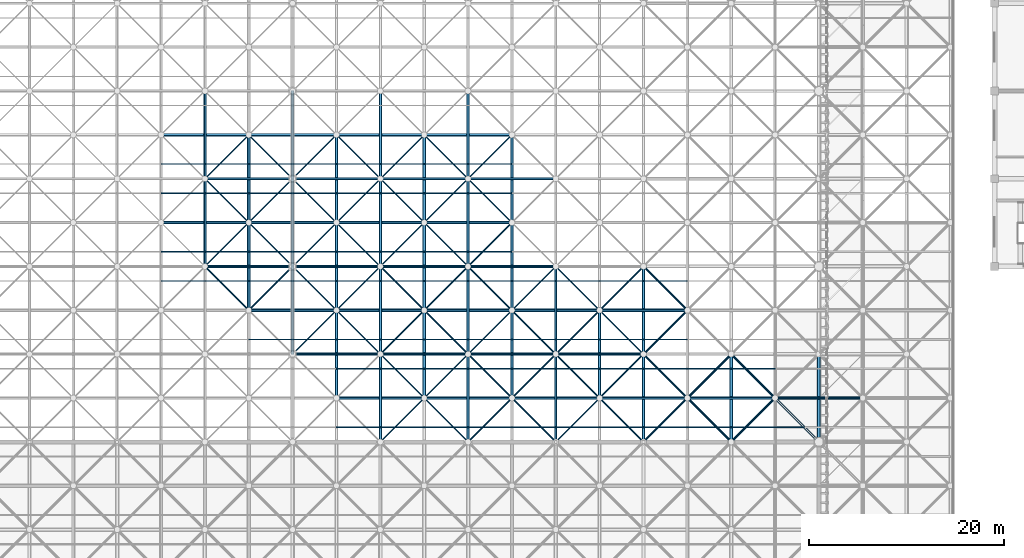
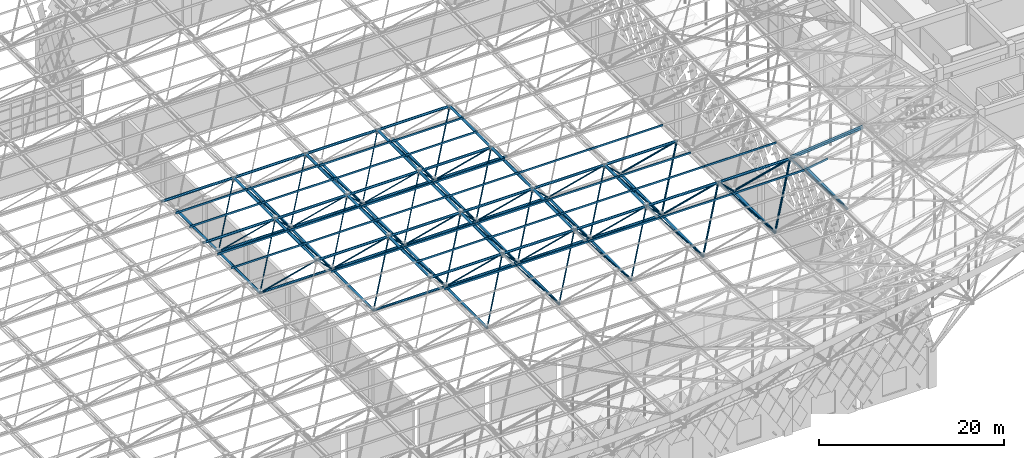
# One storey, part 93 of 437: 157 members.
"""IFC4 building model written with IfcOpenShell, lengths in metres."""

from ifc_helpers import new_model, si_unit, direction, frame, origin, origin_2d, place, context, subcontext, project, spatial, polyline, hollow_circle, outline, extrude, material, material_profile, profile_set, type_object, element, save


model = new_model("IFC4")

# Units and contexts
model_context = context("Model", 3, precision=1e-05, world=origin(), true_north=direction((0.0, 1.0)))
body_context = subcontext(model_context, "Body", "Model", "MODEL_VIEW")
ifc_project = project(units=[si_unit("LENGTHUNIT", "METRE"), si_unit("AREAUNIT", "SQUARE_METRE"), si_unit("VOLUMEUNIT", "CUBIC_METRE"), si_unit("PLANEANGLEUNIT", "RADIAN"), si_unit("MASSUNIT", "GRAM", prefix="KILO")], contexts=[model_context])

# Site, building, storey
site_placement = place(None, origin())
site = spatial("IfcSite", under=ifc_project, at=site_placement, CompositionType="ELEMENT")
building_placement = place(site_placement, origin())
building = spatial("IfcBuilding", under=site, at=building_placement, Name="Opaline Strait Convention Centre", CompositionType="ELEMENT")
storey_placement = place(building_placement, frame((0.0, 0.0, 11.5)))
storey = spatial("IfcBuildingStorey", under=building, at=storey_placement, Name="L02", CompositionType="ELEMENT", Elevation=11.5)

# Members
ifc_material = material(Name="Steel Q355B", Category="steel")
ifc_material_profile_1 = material_profile(ifc_material, outline(polyline([(-0.03759765625, -0.125), (0.03759765625, -0.125), (0.03759765625, -0.10498046875), (0.034912109375, -0.10498046875), (0.034912109375, -0.12255859375), (-0.034912109375, -0.12255859375), (-0.034912109375, 0.12255859375), (0.034912109375, 0.12255859375), (0.034912109375, 0.10498046875), (0.03759765625, 0.10498046875), (0.03759765625, 0.125), (-0.03759765625, 0.125), (-0.03759765625, -0.125)])), Name="C 250x75x20x2.5")
ifc_profile_set_1 = profile_set([ifc_material_profile_1], Name="Steel Q355B")
member_type_1 = type_object("IfcMemberType", Name="Roof purlin C 250x75x20x2.5", PredefinedType="PURLIN", material=ifc_profile_set_1)
for number, where, z_axis, x_axis, name in (
    (1, (211.5, 73.5, 18.257080078125), (1.0, 0.0, 0.0), (0.0, 1.0, 0.0), "EXB-RF-P-14-3-1"),
    (2, (220.5, 73.5, 18.257080078125), (1.0, 0.0, 0.0), (0.0, 1.0, 0.0), "EXB-RF-P-15-3-1"),
    (3, (229.5, 73.5, 18.257080078125), (1.0, 0.0, 0.0), (0.0, 1.0, 0.0), "EXB-RF-P-16-3-1"),
    (4, (238.5, 73.5, 18.257080078125), (1.0, 0.0, 0.0), (0.0, 1.0, 0.0), "EXB-RF-P-17-3-1"),
    (5, (247.5, 73.5, 18.257080078125), (1.0, 0.0, 0.0), (0.0, 1.0, 0.0), "EXB-RF-P-18-3-1"),
):
    element("IfcMember", number, at=place(storey_placement, frame(where, z_axis=z_axis, x_axis=x_axis)), inside=storey, type_object=member_type_1, Name=name, PredefinedType="PURLIN", context=body_context, shape_type="SweptSolid", body=[
        extrude(outline(polyline([(-0.03759765625, -0.125), (0.03759765625, -0.125), (0.03759765625, -0.10498046875), (0.034912109375, -0.10498046875), (0.034912109375, -0.12255859375), (-0.034912109375, -0.12255859375), (-0.034912109375, 0.12255859375), (0.034912109375, 0.12255859375), (0.034912109375, 0.10498046875), (0.03759765625, 0.10498046875), (0.03759765625, 0.125), (-0.03759765625, 0.125), (-0.03759765625, -0.125)])), origin(), (0.0, 0.0, 1.0), 9.0),
    ])
member_1_placement = place(storey_placement, frame((256.449951171875, 76.453125, 18.25537109375), z_axis=(0.99514863855, 0.0, 0.098382860253), x_axis=(0.005558054974, 0.998402930819, -0.056220065425)))
element("IfcMember", 6, at=member_1_placement, inside=storey, type_object=member_type_1, Name="EXB-RF-E-19-3a", PredefinedType="PURLIN", context=body_context, shape_type="SweptSolid", body=[
    extrude(outline(polyline([(-0.03759765625, -0.125), (0.03759765625, -0.125), (0.03759765625, -0.10498046875), (0.034912109375, -0.10498046875), (0.034912109375, -0.12255859375), (-0.034912109375, -0.12255859375), (-0.034912109375, 0.12255859375), (0.034912109375, 0.12255859375), (0.034912109375, 0.10498046875), (0.03759765625, 0.10498046875), (0.03759765625, 0.125), (-0.03759765625, 0.125), (-0.03759765625, -0.125)])), origin(), (0.0, 0.0, 1.0), 9.14453125),
])
member_2_placement = place(storey_placement, frame((256.593017578125, 73.5, 18.27294921875), z_axis=(0.988094799995, 0.0, 0.153846242146), x_axis=(0.0, 1.0, 0.0)))
element("IfcMember", 7, at=member_2_placement, inside=storey, type_object=member_type_1, Name="EXB-RF-P-19-3-1b", PredefinedType="PURLIN", context=body_context, shape_type="SweptSolid", body=[
    extrude(outline(polyline([(-0.03759765625, -0.125), (0.03759765625, -0.125), (0.03759765625, -0.10498046875), (0.034912109375, -0.10498046875), (0.034912109375, -0.12255859375), (-0.034912109375, -0.12255859375), (-0.034912109375, 0.12255859375), (0.034912109375, 0.12255859375), (0.034912109375, 0.10498046875), (0.03759765625, 0.10498046875), (0.03759765625, 0.125), (-0.03759765625, 0.125), (-0.03759765625, -0.125)])), origin(), (0.0, 0.0, 1.0), 2.891357421875),
])
for number, where, z_axis, x_axis, name in (
    (8, (202.5, 82.5, 18.257080078125), (1.0, 0.0, 0.0), (0.0, 1.0, 0.0), "EXB-RF-P-13-4-1"),
    (9, (211.5, 79.5, 18.257080078125), (1.0, 0.0, 0.0), (0.0, 1.0, 0.0), "EXB-RF-P-14-4-0"),
    (10, (211.5, 82.5, 18.257080078125), (1.0, 0.0, 0.0), (0.0, 1.0, 0.0), "EXB-RF-P-14-4-1"),
    (11, (220.5, 79.5, 18.257080078125), (1.0, 0.0, 0.0), (0.0, 1.0, 0.0), "EXB-RF-P-15-4-0"),
    (12, (220.5, 82.5, 18.257080078125), (1.0, 0.0, 0.0), (0.0, 1.0, 0.0), "EXB-RF-P-15-4-1"),
    (13, (229.5, 79.5, 18.257080078125), (1.0, 0.0, 0.0), (0.0, 1.0, 0.0), "EXB-RF-P-16-4-0"),
    (14, (229.5, 82.5, 18.257080078125), (1.0, 0.0, 0.0), (0.0, 1.0, 0.0), "EXB-RF-P-16-4-1"),
    (15, (238.5, 79.5, 18.257080078125), (1.0, 0.0, 0.0), (0.0, 1.0, 0.0), "EXB-RF-P-17-4-0"),
    (16, (238.5, 82.5, 18.257080078125), (1.0, 0.0, 0.0), (0.0, 1.0, 0.0), "EXB-RF-P-17-4-1"),
    (17, (247.5, 79.5, 18.257080078125), (1.0, 0.0, 0.0), (0.0, 1.0, 0.0), "EXB-RF-P-18-4-0"),
    (18, (193.5, 88.5, 18.257080078125), (1.0, 0.0, 0.0), (0.0, 1.0, 0.0), "EXB-RF-P-12-5-0"),
    (19, (193.5, 91.5, 18.257080078125), (1.0, 0.0, 0.0), (0.0, 1.0, 0.0), "EXB-RF-P-12-5-1"),
    (20, (202.5, 88.5, 18.257080078125), (1.0, 0.0, 0.0), (0.0, 1.0, 0.0), "EXB-RF-P-13-5-0"),
    (21, (202.5, 91.5, 18.257080078125), (1.0, 0.0, 0.0), (0.0, 1.0, 0.0), "EXB-RF-P-13-5-1"),
    (22, (211.5, 88.5, 18.257080078125), (1.0, 0.0, 0.0), (0.0, 1.0, 0.0), "EXB-RF-P-14-5-0"),
    (23, (211.5, 91.5, 18.257080078125), (1.0, 0.0, 0.0), (0.0, 1.0, 0.0), "EXB-RF-P-14-5-1"),
    (24, (220.5, 88.5, 18.257080078125), (1.0, 0.0, 0.0), (0.0, 1.0, 0.0), "EXB-RF-P-15-5-0"),
    (25, (220.5, 91.5, 18.257080078125), (1.0, 0.0, 0.0), (0.0, 1.0, 0.0), "EXB-RF-P-15-5-1"),
    (26, (229.5, 88.5, 18.257080078125), (1.0, 0.0, 0.0), (0.0, 1.0, 0.0), "EXB-RF-P-16-5-0"),
    (27, (238.5, 88.5, 18.257080078125), (1.0, 0.0, 0.0), (0.0, 1.0, 0.0), "EXB-RF-P-17-5-0"),
    (28, (193.5, 97.5, 18.257080078125), (1.0, 0.0, 0.0), (0.0, 1.0, 0.0), "EXB-RF-P-12-6-0"),
    (29, (193.5, 100.5, 18.257080078125), (1.0, 0.0, 0.0), (0.0, 1.0, 0.0), "EXB-RF-P-12-6-1"),
    (30, (202.5, 97.5, 18.257080078125), (1.0, 0.0, 0.0), (0.0, 1.0, 0.0), "EXB-RF-P-13-6-0"),
    (31, (202.5, 100.5, 18.257080078125), (1.0, 0.0, 0.0), (0.0, 1.0, 0.0), "EXB-RF-P-13-6-1"),
    (32, (211.5, 97.5, 18.257080078125), (1.0, 0.0, 0.0), (0.0, 1.0, 0.0), "EXB-RF-P-14-6-0"),
    (33, (211.5, 100.5, 18.257080078125), (1.0, 0.0, 0.0), (0.0, 1.0, 0.0), "EXB-RF-P-14-6-1"),
    (34, (220.5, 97.5, 18.257080078125), (1.0, 0.0, 0.0), (0.0, 1.0, 0.0), "EXB-RF-P-15-6-0"),
    (35, (220.5, 100.5, 18.257080078125), (1.0, 0.0, 0.0), (0.0, 1.0, 0.0), "EXB-RF-P-15-6-1"),
):
    element("IfcMember", number, at=place(storey_placement, frame(where, z_axis=z_axis, x_axis=x_axis)), inside=storey, type_object=member_type_1, Name=name, PredefinedType="PURLIN", context=body_context, shape_type="SweptSolid", body=[
        extrude(outline(polyline([(-0.03759765625, -0.125), (0.03759765625, -0.125), (0.03759765625, -0.10498046875), (0.034912109375, -0.10498046875), (0.034912109375, -0.12255859375), (-0.034912109375, -0.12255859375), (-0.034912109375, 0.12255859375), (0.034912109375, 0.12255859375), (0.034912109375, 0.10498046875), (0.03759765625, 0.10498046875), (0.03759765625, 0.125), (-0.03759765625, 0.125), (-0.03759765625, -0.125)])), origin(), (0.0, 0.0, 1.0), 9.0),
    ])
ifc_material_profile_2 = material_profile(ifc_material, hollow_circle(Radius=0.1494140625, WallThickness=0.010009765625, at=origin_2d()), Name="CHS 299x10")
ifc_profile_set_2 = profile_set([ifc_material_profile_2], Name="Steel Q355B")
member_type_2 = type_object("IfcMemberType", Name="Space frame bottom chord CHS 299x10", PredefinedType="CHORD", material=ifc_profile_set_2)
for number, where, z_axis, x_axis, name in (
    (36, (215.949951171875, 81.0, 12.5), (1.0, 0.0, 0.0), (0.0, 1.0, 0.0), "EXB-RF-BX-14-4"),
    (37, (224.949951171875, 81.0, 12.5), (1.0, 0.0, 0.0), (0.0, 1.0, 0.0), "EXB-RF-BX-15-4"),
    (38, (233.949951171875, 81.0, 12.5), (1.0, 0.0, 0.0), (0.0, 1.0, 0.0), "EXB-RF-BX-16-4"),
    (39, (215.949951171875, 90.0, 12.5), (1.0, 0.0, 0.0), (0.0, 1.0, 0.0), "EXB-RF-BX-14-5"),
    (40, (224.949951171875, 90.0, 12.5), (1.0, 0.0, 0.0), (0.0, 1.0, 0.0), "EXB-RF-BX-15-5"),
    (41, (215.949951171875, 99.0, 12.5), (1.0, 0.0, 0.0), (0.0, 1.0, 0.0), "EXB-RF-BX-14-6"),
    (42, (224.949951171875, 99.0, 12.5), (1.0, 0.0, 0.0), (0.0, 1.0, 0.0), "EXB-RF-BX-15-6"),
    (43, (225.0, 71.949951171875, 12.5), (0.0, 1.0, 0.0), (-1.0, 0.0, 0.0), "EXB-RF-BY-15-3"),
    (44, (225.0, 80.949951171875, 12.5), (0.0, 1.0, 0.0), (-1.0, 0.0, 0.0), "EXB-RF-BY-15-4"),
    (45, (225.0, 89.949951171875, 12.5), (0.0, 1.0, 0.0), (-1.0, 0.0, 0.0), "EXB-RF-BY-15-5"),
    (46, (225.0, 98.949951171875, 12.5), (0.0, 1.0, 0.0), (-1.0, 0.0, 0.0), "EXB-RF-BY-15-6"),
    (47, (234.0, 71.949951171875, 12.5), (0.0, 1.0, 0.0), (-1.0, 0.0, 0.0), "EXB-RF-BY-16-3"),
    (48, (234.0, 80.949951171875, 12.5), (0.0, 1.0, 0.0), (-1.0, 0.0, 0.0), "EXB-RF-BY-16-4"),
):
    element("IfcMember", number, at=place(storey_placement, frame(where, z_axis=z_axis, x_axis=x_axis)), inside=storey, type_object=member_type_2, Name=name, PredefinedType="CHORD", context=body_context, shape_type="SweptSolid", body=[
        extrude(hollow_circle(Radius=0.1494140625, WallThickness=0.010009765625, at=origin_2d()), origin(), (0.0, 0.0, 1.0), 9.10009765625),
    ])
ifc_material_profile_3 = material_profile(ifc_material, hollow_circle(Radius=0.1494140625, WallThickness=0.01611328125, at=origin_2d()), Name="CHS 299x16")
ifc_profile_set_3 = profile_set([ifc_material_profile_3], Name="Steel Q355B")
member_type_3 = type_object("IfcMemberType", Name="Space frame bottom chord CHS 299x16", PredefinedType="CHORD", material=ifc_profile_set_3)
for number, where, z_axis, x_axis, name in (
    (49, (206.949951171875, 81.0, 12.5), (1.0, 0.0, 0.0), (0.0, 1.0, 0.0), "EXB-RF-BX-13-4"),
    (50, (197.949951171875, 90.0, 12.5), (1.0, 0.0, 0.0), (0.0, 1.0, 0.0), "EXB-RF-BX-12-5"),
    (51, (206.949951171875, 90.0, 12.5), (1.0, 0.0, 0.0), (0.0, 1.0, 0.0), "EXB-RF-BX-13-5"),
    (52, (197.949951171875, 99.0, 12.5), (1.0, 0.0, 0.0), (0.0, 1.0, 0.0), "EXB-RF-BX-12-6"),
    (53, (206.949951171875, 99.0, 12.5), (1.0, 0.0, 0.0), (0.0, 1.0, 0.0), "EXB-RF-BX-13-6"),
    (54, (198.0, 89.949951171875, 12.5), (0.0, 1.0, 0.0), (-1.0, 0.0, 0.0), "EXB-RF-BY-12-5"),
    (55, (198.0, 98.949951171875, 12.5), (0.0, 1.0, 0.0), (-1.0, 0.0, 0.0), "EXB-RF-BY-12-6"),
    (56, (207.0, 80.949951171875, 12.5), (0.0, 1.0, 0.0), (-1.0, 0.0, 0.0), "EXB-RF-BY-13-4"),
    (57, (207.0, 89.949951171875, 12.5), (0.0, 1.0, 0.0), (-1.0, 0.0, 0.0), "EXB-RF-BY-13-5"),
    (58, (207.0, 98.949951171875, 12.5), (0.0, 1.0, 0.0), (-1.0, 0.0, 0.0), "EXB-RF-BY-13-6"),
    (59, (216.0, 71.949951171875, 12.5), (0.0, 1.0, 0.0), (-1.0, 0.0, 0.0), "EXB-RF-BY-14-3"),
    (60, (216.0, 80.949951171875, 12.5), (0.0, 1.0, 0.0), (-1.0, 0.0, 0.0), "EXB-RF-BY-14-4"),
    (61, (216.0, 89.949951171875, 12.5), (0.0, 1.0, 0.0), (-1.0, 0.0, 0.0), "EXB-RF-BY-14-5"),
    (62, (216.0, 98.949951171875, 12.5), (0.0, 1.0, 0.0), (-1.0, 0.0, 0.0), "EXB-RF-BY-14-6"),
):
    element("IfcMember", number, at=place(storey_placement, frame(where, z_axis=z_axis, x_axis=x_axis)), inside=storey, type_object=member_type_3, Name=name, PredefinedType="CHORD", context=body_context, shape_type="SweptSolid", body=[
        extrude(hollow_circle(Radius=0.1494140625, WallThickness=0.01611328125, at=origin_2d()), origin(), (0.0, 0.0, 1.0), 9.10009765625),
    ])
ifc_material_profile_4 = material_profile(ifc_material, hollow_circle(Radius=0.16259765625, WallThickness=0.013916015625, at=origin_2d()), Name="CHS 325x14")
ifc_profile_set_4 = profile_set([ifc_material_profile_4], Name="Steel Q355B")
member_type_4 = type_object("IfcMemberType", Name="Space frame bottom chord CHS 325x14", PredefinedType="CHORD", material=ifc_profile_set_4)
for number, where, z_axis, x_axis, name in (
    (63, (243.0, 71.949951171875, 12.5), (0.0, 1.0, 0.0), (-1.0, 0.0, 0.0), "EXB-RF-BY-17-3"),
    (64, (243.0, 80.949951171875, 12.5), (0.0, 1.0, 0.0), (-1.0, 0.0, 0.0), "EXB-RF-BY-17-4"),
):
    element("IfcMember", number, at=place(storey_placement, frame(where, z_axis=z_axis, x_axis=x_axis)), inside=storey, type_object=member_type_4, Name=name, PredefinedType="CHORD", context=body_context, shape_type="SweptSolid", body=[
        extrude(hollow_circle(Radius=0.16259765625, WallThickness=0.013916015625, at=origin_2d()), origin(), (0.0, 0.0, 1.0), 9.10009765625),
    ])
ifc_material_profile_5 = material_profile(ifc_material, hollow_circle(Radius=0.175537109375, WallThickness=0.01611328125, at=origin_2d()), Name="CHS 351x16")
ifc_profile_set_5 = profile_set([ifc_material_profile_5], Name="Steel Q355B")
member_type_5 = type_object("IfcMemberType", Name="Space frame bottom chord CHS 351x16", PredefinedType="CHORD", material=ifc_profile_set_5)
for number, where, z_axis, x_axis, name in (
    (65, (252.0, 71.949951171875, 12.5), (0.0, 1.0, 0.0), (-1.0, 0.0, 0.0), "EXB-RF-BY-18-3"),
    (66, (261.0, 71.949951171875, 12.5), (0.0, 1.0, 0.0), (-1.0, 0.0, 0.0), "EXB-RF-BY-19-3"),
):
    element("IfcMember", number, at=place(storey_placement, frame(where, z_axis=z_axis, x_axis=x_axis)), inside=storey, type_object=member_type_5, Name=name, PredefinedType="CHORD", context=body_context, shape_type="SweptSolid", body=[
        extrude(hollow_circle(Radius=0.175537109375, WallThickness=0.01611328125, at=origin_2d()), origin(), (0.0, 0.0, 1.0), 9.10009765625),
    ])
ifc_material_profile_6 = material_profile(ifc_material, hollow_circle(Radius=0.16259765625, WallThickness=0.010009765625, at=origin_2d()), Name="CHS 325x10")
ifc_profile_set_6 = profile_set([ifc_material_profile_6], Name="Steel Q355B")
member_type_6 = type_object("IfcMemberType", Name="Space frame top chord CHS 325x10", PredefinedType="CHORD", material=ifc_profile_set_6)
for number, where, z_axis, x_axis, name in (
    (67, (211.449951171875, 76.5, 17.971435546875), (1.0, 0.0, 0.0), (0.0, 1.0, 0.0), "EXB-RF-TX-14-4"),
    (68, (220.449951171875, 76.5, 17.971435546875), (1.0, 0.0, 0.0), (0.0, 1.0, 0.0), "EXB-RF-TX-15-4"),
    (69, (229.449951171875, 76.5, 17.971435546875), (1.0, 0.0, 0.0), (0.0, 1.0, 0.0), "EXB-RF-TX-16-4"),
    (70, (202.449951171875, 85.5, 17.971435546875), (1.0, 0.0, 0.0), (0.0, 1.0, 0.0), "EXB-RF-TX-13-5"),
    (71, (211.449951171875, 85.5, 17.971435546875), (1.0, 0.0, 0.0), (0.0, 1.0, 0.0), "EXB-RF-TX-14-5"),
    (72, (220.449951171875, 85.5, 17.971435546875), (1.0, 0.0, 0.0), (0.0, 1.0, 0.0), "EXB-RF-TX-15-5"),
    (73, (229.449951171875, 85.5, 17.971435546875), (1.0, 0.0, 0.0), (0.0, 1.0, 0.0), "EXB-RF-TX-16-5"),
    (74, (193.449951171875, 94.5, 17.971435546875), (1.0, 0.0, 0.0), (0.0, 1.0, 0.0), "EXB-RF-TX-12-6"),
    (75, (202.449951171875, 94.5, 17.971435546875), (1.0, 0.0, 0.0), (0.0, 1.0, 0.0), "EXB-RF-TX-13-6"),
    (76, (211.449951171875, 94.5, 17.971435546875), (1.0, 0.0, 0.0), (0.0, 1.0, 0.0), "EXB-RF-TX-14-6"),
    (77, (220.449951171875, 94.5, 17.971435546875), (1.0, 0.0, 0.0), (0.0, 1.0, 0.0), "EXB-RF-TX-15-6"),
    (78, (193.449951171875, 103.5, 17.971435546875), (1.0, 0.0, 0.0), (0.0, 1.0, 0.0), "EXB-RF-TX-12-7"),
    (79, (202.449951171875, 103.5, 17.971435546875), (1.0, 0.0, 0.0), (0.0, 1.0, 0.0), "EXB-RF-TX-13-7"),
    (80, (211.449951171875, 103.5, 17.971435546875), (1.0, 0.0, 0.0), (0.0, 1.0, 0.0), "EXB-RF-TX-14-7"),
    (81, (220.449951171875, 103.5, 17.971435546875), (1.0, 0.0, 0.0), (0.0, 1.0, 0.0), "EXB-RF-TX-15-7"),
    (82, (202.5, 85.449951171875, 17.971435546875), (0.0, 1.0, 0.0), (-1.0, 0.0, 0.0), "EXB-RF-TY-13-5"),
    (83, (202.5, 94.449951171875, 17.971435546875), (0.0, 1.0, 0.0), (-1.0, 0.0, 0.0), "EXB-RF-TY-13-6"),
    (84, (211.5, 76.449951171875, 17.971435546875), (0.0, 1.0, 0.0), (-1.0, 0.0, 0.0), "EXB-RF-TY-14-4"),
    (85, (211.5, 85.449951171875, 17.971435546875), (0.0, 1.0, 0.0), (-1.0, 0.0, 0.0), "EXB-RF-TY-14-5"),
    (86, (211.5, 94.449951171875, 17.971435546875), (0.0, 1.0, 0.0), (-1.0, 0.0, 0.0), "EXB-RF-TY-14-6"),
    (87, (220.5, 76.449951171875, 17.971435546875), (0.0, 1.0, 0.0), (-1.0, 0.0, 0.0), "EXB-RF-TY-15-4"),
    (88, (220.5, 85.449951171875, 17.971435546875), (0.0, 1.0, 0.0), (-1.0, 0.0, 0.0), "EXB-RF-TY-15-5"),
    (89, (220.5, 94.449951171875, 17.971435546875), (0.0, 1.0, 0.0), (-1.0, 0.0, 0.0), "EXB-RF-TY-15-6"),
    (90, (229.5, 76.449951171875, 17.971435546875), (0.0, 1.0, 0.0), (-1.0, 0.0, 0.0), "EXB-RF-TY-16-4"),
    (91, (229.5, 85.449951171875, 17.971435546875), (0.0, 1.0, 0.0), (-1.0, 0.0, 0.0), "EXB-RF-TY-16-5"),
    (92, (229.5, 94.449951171875, 17.971435546875), (0.0, 1.0, 0.0), (-1.0, 0.0, 0.0), "EXB-RF-TY-16-6"),
    (93, (238.5, 76.449951171875, 17.971435546875), (0.0, 1.0, 0.0), (-1.0, 0.0, 0.0), "EXB-RF-TY-17-4"),
):
    element("IfcMember", number, at=place(storey_placement, frame(where, z_axis=z_axis, x_axis=x_axis)), inside=storey, type_object=member_type_6, Name=name, PredefinedType="CHORD", context=body_context, shape_type="SweptSolid", body=[
        extrude(hollow_circle(Radius=0.16259765625, WallThickness=0.010009765625, at=origin_2d()), origin(), (0.0, 0.0, 1.0), 9.10009765625),
    ])
ifc_material_profile_7 = material_profile(ifc_material, hollow_circle(Radius=0.16259765625, WallThickness=0.013916015625, at=origin_2d()), Name="CHS 325x14")
ifc_profile_set_7 = profile_set([ifc_material_profile_7], Name="Steel Q355B")
member_type_7 = type_object("IfcMemberType", Name="Space frame top chord CHS 325x14", PredefinedType="CHORD", material=ifc_profile_set_7)
for number, where, z_axis, x_axis, name in (
    (94, (238.449951171875, 76.5, 17.971435546875), (1.0, 0.0, 0.0), (0.0, 1.0, 0.0), "EXB-RF-TX-17-4"),
    (95, (238.449951171875, 85.5, 17.971435546875), (1.0, 0.0, 0.0), (0.0, 1.0, 0.0), "EXB-RF-TX-17-5"),
):
    element("IfcMember", number, at=place(storey_placement, frame(where, z_axis=z_axis, x_axis=x_axis)), inside=storey, type_object=member_type_7, Name=name, PredefinedType="CHORD", context=body_context, shape_type="SweptSolid", body=[
        extrude(hollow_circle(Radius=0.16259765625, WallThickness=0.013916015625, at=origin_2d()), origin(), (0.0, 0.0, 1.0), 9.10009765625),
    ])
ifc_material_profile_8 = material_profile(ifc_material, hollow_circle(Radius=0.16259765625, WallThickness=0.02001953125, at=origin_2d()), Name="CHS 325x20")
ifc_profile_set_8 = profile_set([ifc_material_profile_8], Name="Steel Q355B")
member_type_8 = type_object("IfcMemberType", Name="Space frame top chord CHS 325x20", PredefinedType="CHORD", material=ifc_profile_set_8)
member_3_placement = place(storey_placement, frame((247.449951171875, 76.5, 17.971435546875), z_axis=(1.0, 0.0, 0.0), x_axis=(0.0, 1.0, 0.0)))
element("IfcMember", 96, at=member_3_placement, inside=storey, type_object=member_type_8, Name="EXB-RF-TX-18-4", PredefinedType="CHORD", context=body_context, shape_type="SweptSolid", body=[
    extrude(hollow_circle(Radius=0.16259765625, WallThickness=0.02001953125, at=origin_2d()), origin(), (0.0, 0.0, 1.0), 9.10009765625),
])
member_4_placement = place(storey_placement, frame((256.4501953125, 76.5, 17.966552734375), z_axis=(0.995148121675, 0.0, 0.098388088334), x_axis=(0.0, 1.0, 0.0)))
element("IfcMember", 97, at=member_4_placement, inside=storey, type_object=member_type_8, Name="EXB-RF-TX-19-4", PredefinedType="CHORD", context=body_context, shape_type="SweptSolid", body=[
    extrude(hollow_circle(Radius=0.16259765625, WallThickness=0.02001953125, at=origin_2d()), origin(), (0.0, 0.0, 1.0), 9.14404296875),
])
ifc_material_profile_9 = material_profile(ifc_material, hollow_circle(Radius=0.070068359375, WallThickness=0.0048828125, at=origin_2d()), Name="CHS 140x5")
ifc_profile_set_9 = profile_set([ifc_material_profile_9], Name="Steel Q355B")
member_type_9 = type_object("IfcMemberType", Name="Space frame web CHS 140x5", PredefinedType="BRACE", material=ifc_profile_set_9)
for number, where, z_axis, x_axis, name in (
    (98, (202.52685546875, 94.52685546875, 18.004150390625), (-0.536178220346, -0.536178220346, -0.6519400525), (0.707106781187, -0.707106781187, 0.0), "EXB-RF-W-12-5-11"),
    (99, (202.52685546875, 94.47314453125, 18.004150390625), (-0.536178220346, 0.536178220346, -0.6519400525), (-0.707106781187, -0.707106781187, 0.0), "EXB-RF-W-12-6-10"),
    (100, (202.52685546875, 103.52685546875, 18.004150390625), (-0.536178220346, -0.536178220346, -0.6519400525), (0.707106781187, -0.707106781187, 0.0), "EXB-RF-W-12-6-11"),
    (101, (202.47314453125, 94.52685546875, 18.004150390625), (0.536178220346, -0.536178220346, -0.6519400525), (0.707106781187, 0.707106781187, 0.0), "EXB-RF-W-13-5-01"),
    (102, (211.52685546875, 94.52685546875, 18.004150390625), (-0.536178220346, -0.536178220346, -0.6519400525), (0.707106781187, -0.707106781187, 0.0), "EXB-RF-W-13-5-11"),
    (103, (202.47314453125, 94.47314453125, 18.004150390625), (0.536178220346, 0.536178220346, -0.6519400525), (-0.707106781187, 0.707106781187, 0.0), "EXB-RF-W-13-6-00"),
    (104, (202.47314453125, 103.52685546875, 18.004150390625), (0.536178220346, -0.536178220346, -0.6519400525), (0.707106781187, 0.707106781187, 0.0), "EXB-RF-W-13-6-01"),
    (105, (211.52685546875, 94.47314453125, 18.004150390625), (-0.536178220346, 0.536178220346, -0.6519400525), (-0.707106781187, -0.707106781187, 0.0), "EXB-RF-W-13-6-10"),
    (106, (211.52685546875, 103.52685546875, 18.004150390625), (-0.536178220346, -0.536178220346, -0.6519400525), (0.707106781187, -0.707106781187, 0.0), "EXB-RF-W-13-6-11"),
    (107, (211.47314453125, 94.52685546875, 18.004150390625), (0.536178220346, -0.536178220346, -0.6519400525), (0.707106781187, 0.707106781187, 0.0), "EXB-RF-W-14-5-01"),
    (108, (220.52685546875, 94.52685546875, 18.004150390625), (-0.536178220346, -0.536178220346, -0.6519400525), (0.707106781187, -0.707106781187, 0.0), "EXB-RF-W-14-5-11"),
    (109, (211.47314453125, 94.47314453125, 18.004150390625), (0.536178220346, 0.536178220346, -0.6519400525), (-0.707106781187, 0.707106781187, 0.0), "EXB-RF-W-14-6-00"),
    (110, (211.47314453125, 103.52685546875, 18.004150390625), (0.536178220346, -0.536178220346, -0.6519400525), (0.707106781187, 0.707106781187, 0.0), "EXB-RF-W-14-6-01"),
    (111, (220.52685546875, 94.47314453125, 18.004150390625), (-0.536178220346, 0.536178220346, -0.6519400525), (-0.707106781187, -0.707106781187, 0.0), "EXB-RF-W-14-6-10"),
    (112, (220.52685546875, 103.52685546875, 18.004150390625), (-0.536178220346, -0.536178220346, -0.6519400525), (0.707106781187, -0.707106781187, 0.0), "EXB-RF-W-14-6-11"),
    (113, (220.47314453125, 94.52685546875, 18.004150390625), (0.536178220346, -0.536178220346, -0.6519400525), (0.707106781187, 0.707106781187, 0.0), "EXB-RF-W-15-5-01"),
    (114, (220.47314453125, 94.47314453125, 18.004150390625), (0.536178220346, 0.536178220346, -0.6519400525), (-0.707106781187, 0.707106781187, 0.0), "EXB-RF-W-15-6-00"),
    (115, (220.47314453125, 103.52685546875, 18.004150390625), (0.536178220346, -0.536178220346, -0.6519400525), (0.707106781187, 0.707106781187, 0.0), "EXB-RF-W-15-6-01"),
):
    element("IfcMember", number, at=place(storey_placement, frame(where, z_axis=z_axis, x_axis=x_axis)), inside=storey, type_object=member_type_9, Name=name, PredefinedType="BRACE", context=body_context, shape_type="SweptSolid", body=[
        extrude(hollow_circle(Radius=0.070068359375, WallThickness=0.0048828125, at=origin_2d()), origin(), (0.0, 0.0, 1.0), 8.492919921875),
    ])
ifc_material_profile_10 = material_profile(ifc_material, hollow_circle(Radius=0.083984375, WallThickness=0.008056640625, at=origin_2d()), Name="CHS 168x8")
ifc_profile_set_10 = profile_set([ifc_material_profile_10], Name="Steel Q355B")
member_type_10 = type_object("IfcMemberType", Name="Space frame web CHS 168x8", PredefinedType="BRACE", material=ifc_profile_set_10)
for number, where, z_axis, x_axis, name in (
    (116, (202.52685546875, 85.47314453125, 18.004150390625), (-0.536178220346, 0.536178220346, -0.6519400525), (-0.707106781187, -0.707106781187, 0.0), "EXB-RF-W-12-5-10"),
    (117, (211.52685546875, 85.52685546875, 18.004150390625), (-0.536178220346, -0.536178220346, -0.6519400525), (0.707106781187, -0.707106781187, 0.0), "EXB-RF-W-13-4-11"),
    (118, (202.47314453125, 85.47314453125, 18.004150390625), (0.536178220346, 0.536178220346, -0.6519400525), (-0.707106781187, 0.707106781187, 0.0), "EXB-RF-W-13-5-00"),
    (119, (211.52685546875, 85.47314453125, 18.004150390625), (-0.536178220346, 0.536178220346, -0.6519400525), (-0.707106781187, -0.707106781187, 0.0), "EXB-RF-W-13-5-10"),
    (120, (220.52685546875, 76.52685546875, 18.004150390625), (-0.536178220346, -0.536178220346, -0.6519400525), (0.707106781187, -0.707106781187, 0.0), "EXB-RF-W-14-3-11"),
    (121, (211.47314453125, 85.52685546875, 18.004150390625), (0.536178220346, -0.536178220346, -0.6519400525), (0.707106781187, 0.707106781187, 0.0), "EXB-RF-W-14-4-01"),
    (122, (220.52685546875, 76.47314453125, 18.004150390625), (-0.536178220346, 0.536178220346, -0.6519400525), (-0.707106781187, -0.707106781187, 0.0), "EXB-RF-W-14-4-10"),
    (123, (220.52685546875, 85.52685546875, 18.004150390625), (-0.536178220346, -0.536178220346, -0.6519400525), (0.707106781187, -0.707106781187, 0.0), "EXB-RF-W-14-4-11"),
    (124, (211.47314453125, 85.47314453125, 18.004150390625), (0.536178220346, 0.536178220346, -0.6519400525), (-0.707106781187, 0.707106781187, 0.0), "EXB-RF-W-14-5-00"),
    (125, (220.52685546875, 85.47314453125, 18.004150390625), (-0.536178220346, 0.536178220346, -0.6519400525), (-0.707106781187, -0.707106781187, 0.0), "EXB-RF-W-14-5-10"),
    (126, (220.47314453125, 76.52685546875, 18.004150390625), (0.536178220346, -0.536178220346, -0.6519400525), (0.707106781187, 0.707106781187, 0.0), "EXB-RF-W-15-3-01"),
    (127, (229.52685546875, 76.52685546875, 18.004150390625), (-0.536178220346, -0.536178220346, -0.6519400525), (0.707106781187, -0.707106781187, 0.0), "EXB-RF-W-15-3-11"),
    (128, (220.47314453125, 76.47314453125, 18.004150390625), (0.536178220346, 0.536178220346, -0.6519400525), (-0.707106781187, 0.707106781187, 0.0), "EXB-RF-W-15-4-00"),
    (129, (220.47314453125, 85.52685546875, 18.004150390625), (0.536178220346, -0.536178220346, -0.6519400525), (0.707106781187, 0.707106781187, 0.0), "EXB-RF-W-15-4-01"),
    (130, (229.52685546875, 76.47314453125, 18.004150390625), (-0.536178220346, 0.536178220346, -0.6519400525), (-0.707106781187, -0.707106781187, 0.0), "EXB-RF-W-15-4-10"),
    (131, (229.52685546875, 85.52685546875, 18.004150390625), (-0.536178220346, -0.536178220346, -0.6519400525), (0.707106781187, -0.707106781187, 0.0), "EXB-RF-W-15-4-11"),
    (132, (220.47314453125, 85.47314453125, 18.004150390625), (0.536178220346, 0.536178220346, -0.6519400525), (-0.707106781187, 0.707106781187, 0.0), "EXB-RF-W-15-5-00"),
    (133, (229.52685546875, 85.47314453125, 18.004150390625), (-0.536178220346, 0.536178220346, -0.6519400525), (-0.707106781187, -0.707106781187, 0.0), "EXB-RF-W-15-5-10"),
    (134, (229.52685546875, 94.52685546875, 18.004150390625), (-0.536178220346, -0.536178220346, -0.6519400525), (0.707106781187, -0.707106781187, 0.0), "EXB-RF-W-15-5-11"),
    (135, (229.52685546875, 94.47314453125, 18.004150390625), (-0.536178220346, 0.536178220346, -0.6519400525), (-0.707106781187, -0.707106781187, 0.0), "EXB-RF-W-15-6-10"),
    (136, (229.52685546875, 103.52685546875, 18.004150390625), (-0.536178220346, -0.536178220346, -0.6519400525), (0.707106781187, -0.707106781187, 0.0), "EXB-RF-W-15-6-11"),
    (137, (229.47314453125, 76.52685546875, 18.004150390625), (0.536178220346, -0.536178220346, -0.6519400525), (0.707106781187, 0.707106781187, 0.0), "EXB-RF-W-16-3-01"),
    (138, (238.52685546875, 76.52685546875, 18.004150390625), (-0.536178220346, -0.536178220346, -0.6519400525), (0.707106781187, -0.707106781187, 0.0), "EXB-RF-W-16-3-11"),
    (139, (229.47314453125, 76.47314453125, 18.004150390625), (0.536178220346, 0.536178220346, -0.6519400525), (-0.707106781187, 0.707106781187, 0.0), "EXB-RF-W-16-4-00"),
    (140, (229.47314453125, 85.52685546875, 18.004150390625), (0.536178220346, -0.536178220346, -0.6519400525), (0.707106781187, 0.707106781187, 0.0), "EXB-RF-W-16-4-01"),
    (141, (238.52685546875, 76.47314453125, 18.004150390625), (-0.536178220346, 0.536178220346, -0.6519400525), (-0.707106781187, -0.707106781187, 0.0), "EXB-RF-W-16-4-10"),
    (142, (238.52685546875, 85.52685546875, 18.004150390625), (-0.536178220346, -0.536178220346, -0.6519400525), (0.707106781187, -0.707106781187, 0.0), "EXB-RF-W-16-4-11"),
    (143, (229.47314453125, 85.47314453125, 18.004150390625), (0.536178220346, 0.536178220346, -0.6519400525), (-0.707106781187, 0.707106781187, 0.0), "EXB-RF-W-16-5-00"),
    (144, (238.52685546875, 85.47314453125, 18.004150390625), (-0.536178220346, 0.536178220346, -0.6519400525), (-0.707106781187, -0.707106781187, 0.0), "EXB-RF-W-16-5-10"),
    (145, (238.47314453125, 76.52685546875, 18.004150390625), (0.536178220346, -0.536178220346, -0.6519400525), (0.707106781187, 0.707106781187, 0.0), "EXB-RF-W-17-3-01"),
    (146, (238.47314453125, 76.47314453125, 18.004150390625), (0.536178220346, 0.536178220346, -0.6519400525), (-0.707106781187, 0.707106781187, 0.0), "EXB-RF-W-17-4-00"),
    (147, (238.47314453125, 85.52685546875, 18.004150390625), (0.536178220346, -0.536178220346, -0.6519400525), (0.707106781187, 0.707106781187, 0.0), "EXB-RF-W-17-4-01"),
    (148, (238.47314453125, 85.47314453125, 18.004150390625), (0.536178220346, 0.536178220346, -0.6519400525), (-0.707106781187, 0.707106781187, 0.0), "EXB-RF-W-17-5-00"),
):
    element("IfcMember", number, at=place(storey_placement, frame(where, z_axis=z_axis, x_axis=x_axis)), inside=storey, type_object=member_type_10, Name=name, PredefinedType="BRACE", context=body_context, shape_type="SweptSolid", body=[
        extrude(hollow_circle(Radius=0.083984375, WallThickness=0.008056640625, at=origin_2d()), origin(), (0.0, 0.0, 1.0), 8.492919921875),
    ])
ifc_material_profile_11 = material_profile(ifc_material, hollow_circle(Radius=0.109619140625, WallThickness=0.010009765625, at=origin_2d()), Name="CHS 219x10")
ifc_profile_set_11 = profile_set([ifc_material_profile_11], Name="Steel Q355B")
member_type_11 = type_object("IfcMemberType", Name="Space frame web CHS 219x10", PredefinedType="BRACE", material=ifc_profile_set_11)
for number, where, z_axis, x_axis, name in (
    (149, (247.52685546875, 76.52685546875, 18.004150390625), (-0.536178220346, -0.536178220346, -0.6519400525), (0.707106781187, -0.707106781187, 0.0), "EXB-RF-W-17-3-11"),
    (150, (247.52685546875, 76.47314453125, 18.004150390625), (-0.536178220346, 0.536178220346, -0.6519400525), (-0.707106781187, -0.707106781187, 0.0), "EXB-RF-W-17-4-10"),
    (151, (247.52685546875, 85.52685546875, 18.004150390625), (-0.536178220346, -0.536178220346, -0.6519400525), (0.707106781187, -0.707106781187, 0.0), "EXB-RF-W-17-4-11"),
    (152, (247.52685546875, 85.47314453125, 18.004150390625), (-0.536178220346, 0.536178220346, -0.6519400525), (-0.707106781187, -0.707106781187, 0.0), "EXB-RF-W-17-5-10"),
):
    element("IfcMember", number, at=place(storey_placement, frame(where, z_axis=z_axis, x_axis=x_axis)), inside=storey, type_object=member_type_11, Name=name, PredefinedType="BRACE", context=body_context, shape_type="SweptSolid", body=[
        extrude(hollow_circle(Radius=0.109619140625, WallThickness=0.010009765625, at=origin_2d()), origin(), (0.0, 0.0, 1.0), 8.492919921875),
    ])
ifc_material_profile_12 = material_profile(ifc_material, hollow_circle(Radius=0.12255859375, WallThickness=0.011962890625, at=origin_2d()), Name="CHS 245x12")
ifc_profile_set_12 = profile_set([ifc_material_profile_12], Name="Steel Q355B")
member_type_12 = type_object("IfcMemberType", Name="Space frame web CHS 245x12", PredefinedType="BRACE", material=ifc_profile_set_12)
for number, where, z_axis, x_axis, name in (
    (153, (247.47314453125, 76.52685546875, 18.004150390625), (0.536178220346, -0.536178220346, -0.6519400525), (0.707106781187, 0.707106781187, 0.0), "EXB-RF-W-18-3-01"),
    (154, (256.52685546875, 76.52685546875, 18.004150390625), (-0.536178220346, -0.536178220346, -0.6519400525), (0.707106781187, -0.707106781187, 0.0), "EXB-RF-W-18-3-11"),
    (155, (247.47314453125, 76.47314453125, 18.004150390625), (0.536178220346, 0.536178220346, -0.6519400525), (-0.707106781187, 0.707106781187, 0.0), "EXB-RF-W-18-4-00"),
    (156, (256.52685546875, 76.47314453125, 18.004150390625), (-0.536178220346, 0.536178220346, -0.6519400525), (-0.707106781187, -0.707106781187, 0.0), "EXB-RF-W-18-4-10"),
    (157, (256.47314453125, 76.52685546875, 18.004150390625), (0.536178220346, -0.536178220346, -0.6519400525), (0.707106781187, 0.707106781187, 0.0), "EXB-RF-W-19-3-01"),
):
    element("IfcMember", number, at=place(storey_placement, frame(where, z_axis=z_axis, x_axis=x_axis)), inside=storey, type_object=member_type_12, Name=name, PredefinedType="BRACE", context=body_context, shape_type="SweptSolid", body=[
        extrude(hollow_circle(Radius=0.12255859375, WallThickness=0.011962890625, at=origin_2d()), origin(), (0.0, 0.0, 1.0), 8.492919921875),
    ])

save(model, "model.ifc")
